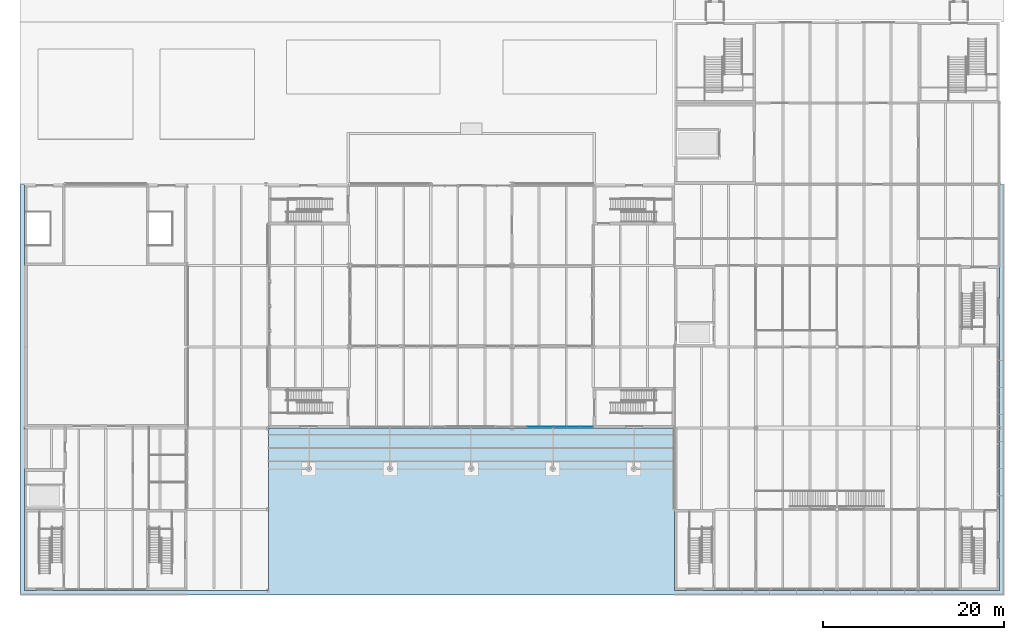
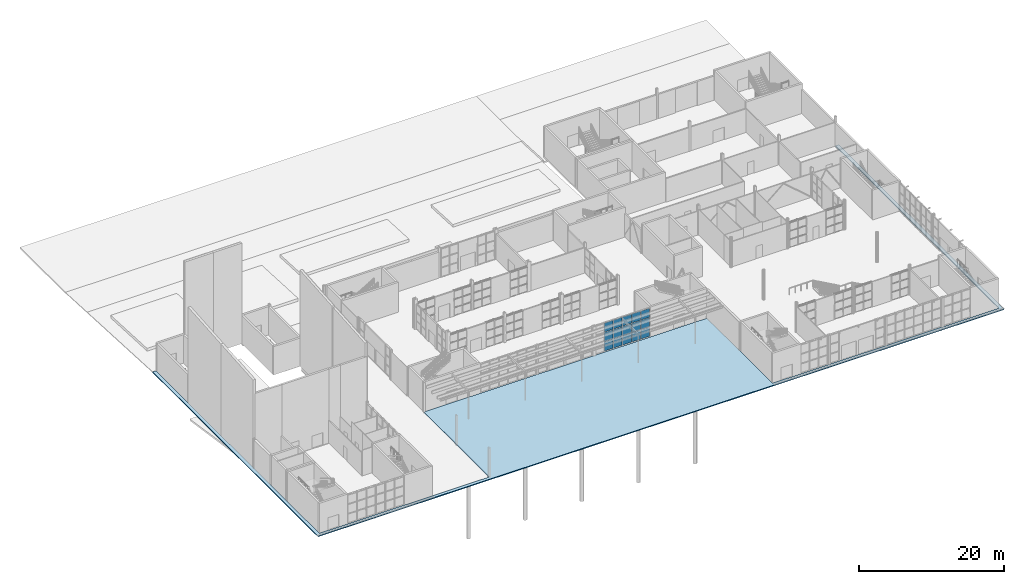
# One storey, part 30 of 63: 15 plates, 1 slab, 1 element without a shape of its own.
"""IFC4 building model written with IfcOpenShell, lengths in metres."""

from ifc_helpers import new_model, si_unit, direction, frame, origin, origin_2d, place, context, subcontext, project, spatial, polyline, rectangle, outline, extrude, material, layer, layer_set, type_object, element, aggregate, save


model = new_model("IFC4")

# Units and contexts
model_context = context("Model", 3, precision=1e-05, world=origin(), true_north=direction((0.0, 1.0)))
body_context = subcontext(model_context, "Body", "Model", "MODEL_VIEW")
ifc_project = project(units=[si_unit("LENGTHUNIT", "METRE"), si_unit("AREAUNIT", "SQUARE_METRE"), si_unit("VOLUMEUNIT", "CUBIC_METRE"), si_unit("PLANEANGLEUNIT", "RADIAN"), si_unit("MASSUNIT", "GRAM", prefix="KILO")], contexts=[model_context])

# Site, building, storey
site_placement = place(None, origin())
site = spatial("IfcSite", under=ifc_project, at=site_placement, CompositionType="ELEMENT")
building_placement = place(site_placement, origin())
building = spatial("IfcBuilding", under=site, at=building_placement, Name="Halyard Row Museum", CompositionType="ELEMENT")
storey_placement = place(building_placement, origin())
storey = spatial("IfcBuildingStorey", under=building, at=storey_placement, Name="L00", CompositionType="ELEMENT", Elevation=0.0)

# Curtain wall, plates
ifc_material_1 = material(Name="Double glazed unit, low-emissivity", Category="glass")
ifc_layer_1 = layer(ifc_material_1, 0.199951171875)
ifc_layer_set_1 = layer_set([ifc_layer_1], Name="Double glazed unit, low-emissivity")
curtain_wall_type = type_object("IfcCurtainWallType", Name="Curtain wall shopfront 200 deep", PredefinedType="NOTDEFINED", material=ifc_layer_set_1)
curtain_wall_placement = place(storey_placement, origin())
curtain_wall = element("IfcCurtainWall", 1, at=curtain_wall_placement, inside=storey, type_object=curtain_wall_type, Name="Curtain wall CW016", PredefinedType="NOTDEFINED")
ifc_material_2 = material(Name="Double glazed unit, low-emissivity", Category="glass")
ifc_layer_2 = layer(ifc_material_2, 0.031982421875)
ifc_layer_set_2 = layer_set([ifc_layer_2], Name="Double glazed unit, low-emissivity")
plate_type = type_object("IfcPlateType", Name="Curtain wall glazed panel CP1 32", PredefinedType="CURTAIN_PANEL", material=ifc_layer_set_2)
plate_1_placement = place(storey_placement, frame((56.4375, 18.14990234375, 0.06494140625), z_axis=(0.0, 0.0, 1.0), x_axis=(1.0, 0.0, 0.0)))
plate_1 = element("IfcPlate", 2, at=plate_1_placement, type_object=plate_type, Name="CW016 panel 2.1", PredefinedType="CURTAIN_PANEL", context=body_context, shape_type="SweptSolid", body=[
    extrude(rectangle(XDim=1.393310546875, YDim=0.031982421875, at=origin_2d()), origin(), (0.0, 0.0, 1.0), 1.51416015625),
])
plate_2_placement = place(storey_placement, frame((56.4375, 18.14990234375, 1.64404296875), z_axis=(0.0, 0.0, 1.0), x_axis=(1.0, 0.0, 0.0)))
plate_2 = element("IfcPlate", 3, at=plate_2_placement, type_object=plate_type, Name="CW016 panel 2.2", PredefinedType="CURTAIN_PANEL", context=body_context, shape_type="SweptSolid", body=[
    extrude(rectangle(XDim=1.393310546875, YDim=0.031982421875, at=origin_2d()), origin(), (0.0, 0.0, 1.0), 1.546630859375),
])
plate_3_placement = place(storey_placement, frame((56.4375, 18.14990234375, 3.255859375), z_axis=(0.0, 0.0, 1.0), x_axis=(1.0, 0.0, 0.0)))
plate_3 = element("IfcPlate", 4, at=plate_3_placement, type_object=plate_type, Name="CW016 panel 2.3", PredefinedType="CURTAIN_PANEL", context=body_context, shape_type="SweptSolid", body=[
    extrude(rectangle(XDim=1.393310546875, YDim=0.031982421875, at=origin_2d()), origin(), (0.0, 0.0, 1.0), 1.51416015625),
])
plate_4_placement = place(storey_placement, frame((57.895751953125, 18.14990234375, 0.06494140625), z_axis=(0.0, 0.0, 1.0), x_axis=(1.0, 0.0, 0.0)))
plate_4 = element("IfcPlate", 5, at=plate_4_placement, type_object=plate_type, Name="CW016 panel 3.1", PredefinedType="CURTAIN_PANEL", context=body_context, shape_type="SweptSolid", body=[
    extrude(rectangle(XDim=1.393310546875, YDim=0.031982421875, at=origin_2d()), origin(), (0.0, 0.0, 1.0), 1.51416015625),
])
plate_5_placement = place(storey_placement, frame((57.895751953125, 18.14990234375, 1.64404296875), z_axis=(0.0, 0.0, 1.0), x_axis=(1.0, 0.0, 0.0)))
plate_5 = element("IfcPlate", 6, at=plate_5_placement, type_object=plate_type, Name="CW016 panel 3.2", PredefinedType="CURTAIN_PANEL", context=body_context, shape_type="SweptSolid", body=[
    extrude(rectangle(XDim=1.393310546875, YDim=0.031982421875, at=origin_2d()), origin(), (0.0, 0.0, 1.0), 1.546630859375),
])
plate_6_placement = place(storey_placement, frame((57.895751953125, 18.14990234375, 3.255859375), z_axis=(0.0, 0.0, 1.0), x_axis=(1.0, 0.0, 0.0)))
plate_6 = element("IfcPlate", 7, at=plate_6_placement, type_object=plate_type, Name="CW016 panel 3.3", PredefinedType="CURTAIN_PANEL", context=body_context, shape_type="SweptSolid", body=[
    extrude(rectangle(XDim=1.393310546875, YDim=0.031982421875, at=origin_2d()), origin(), (0.0, 0.0, 1.0), 1.51416015625),
])
plate_7_placement = place(storey_placement, frame((59.354248046875, 18.14990234375, 0.06494140625), z_axis=(0.0, 0.0, 1.0), x_axis=(1.0, 0.0, 0.0)))
plate_7 = element("IfcPlate", 8, at=plate_7_placement, type_object=plate_type, Name="CW016 panel 4.1", PredefinedType="CURTAIN_PANEL", context=body_context, shape_type="SweptSolid", body=[
    extrude(rectangle(XDim=1.393310546875, YDim=0.031982421875, at=origin_2d()), origin(), (0.0, 0.0, 1.0), 1.51416015625),
])
plate_8_placement = place(storey_placement, frame((59.354248046875, 18.14990234375, 1.64404296875), z_axis=(0.0, 0.0, 1.0), x_axis=(1.0, 0.0, 0.0)))
plate_8 = element("IfcPlate", 9, at=plate_8_placement, type_object=plate_type, Name="CW016 panel 4.2", PredefinedType="CURTAIN_PANEL", context=body_context, shape_type="SweptSolid", body=[
    extrude(rectangle(XDim=1.393310546875, YDim=0.031982421875, at=origin_2d()), origin(), (0.0, 0.0, 1.0), 1.546630859375),
])
plate_9_placement = place(storey_placement, frame((59.354248046875, 18.14990234375, 3.255859375), z_axis=(0.0, 0.0, 1.0), x_axis=(1.0, 0.0, 0.0)))
plate_9 = element("IfcPlate", 10, at=plate_9_placement, type_object=plate_type, Name="CW016 panel 4.3", PredefinedType="CURTAIN_PANEL", context=body_context, shape_type="SweptSolid", body=[
    extrude(rectangle(XDim=1.393310546875, YDim=0.031982421875, at=origin_2d()), origin(), (0.0, 0.0, 1.0), 1.51416015625),
])
plate_10_placement = place(storey_placement, frame((60.8125, 18.14990234375, 0.06494140625), z_axis=(0.0, 0.0, 1.0), x_axis=(1.0, 0.0, 0.0)))
plate_10 = element("IfcPlate", 11, at=plate_10_placement, type_object=plate_type, Name="CW016 panel 5.1", PredefinedType="CURTAIN_PANEL", context=body_context, shape_type="SweptSolid", body=[
    extrude(rectangle(XDim=1.393310546875, YDim=0.031982421875, at=origin_2d()), origin(), (0.0, 0.0, 1.0), 1.51416015625),
])
plate_11_placement = place(storey_placement, frame((60.8125, 18.14990234375, 1.64404296875), z_axis=(0.0, 0.0, 1.0), x_axis=(1.0, 0.0, 0.0)))
plate_11 = element("IfcPlate", 12, at=plate_11_placement, type_object=plate_type, Name="CW016 panel 5.2", PredefinedType="CURTAIN_PANEL", context=body_context, shape_type="SweptSolid", body=[
    extrude(rectangle(XDim=1.393310546875, YDim=0.031982421875, at=origin_2d()), origin(), (0.0, 0.0, 1.0), 1.546630859375),
])
plate_12_placement = place(storey_placement, frame((60.8125, 18.14990234375, 3.255859375), z_axis=(0.0, 0.0, 1.0), x_axis=(1.0, 0.0, 0.0)))
plate_12 = element("IfcPlate", 13, at=plate_12_placement, type_object=plate_type, Name="CW016 panel 5.3", PredefinedType="CURTAIN_PANEL", context=body_context, shape_type="SweptSolid", body=[
    extrude(rectangle(XDim=1.393310546875, YDim=0.031982421875, at=origin_2d()), origin(), (0.0, 0.0, 1.0), 1.51416015625),
])
plate_13_placement = place(storey_placement, frame((62.254638671875, 18.14990234375, 0.06494140625), z_axis=(0.0, 0.0, 1.0), x_axis=(1.0, 0.0, 0.0)))
plate_13 = element("IfcPlate", 14, at=plate_13_placement, type_object=plate_type, Name="CW016 panel 6.1", PredefinedType="CURTAIN_PANEL", context=body_context, shape_type="SweptSolid", body=[
    extrude(rectangle(XDim=1.36083984375, YDim=0.031982421875, at=origin_2d()), origin(), (0.0, 0.0, 1.0), 1.51416015625),
])
plate_14_placement = place(storey_placement, frame((62.254638671875, 18.14990234375, 1.64404296875), z_axis=(0.0, 0.0, 1.0), x_axis=(1.0, 0.0, 0.0)))
plate_14 = element("IfcPlate", 15, at=plate_14_placement, type_object=plate_type, Name="CW016 panel 6.2", PredefinedType="CURTAIN_PANEL", context=body_context, shape_type="SweptSolid", body=[
    extrude(rectangle(XDim=1.36083984375, YDim=0.031982421875, at=origin_2d()), origin(), (0.0, 0.0, 1.0), 1.546630859375),
])
plate_15_placement = place(storey_placement, frame((62.254638671875, 18.14990234375, 3.255859375), z_axis=(0.0, 0.0, 1.0), x_axis=(1.0, 0.0, 0.0)))
plate_15 = element("IfcPlate", 16, at=plate_15_placement, type_object=plate_type, Name="CW016 panel 6.3", PredefinedType="CURTAIN_PANEL", context=body_context, shape_type="SweptSolid", body=[
    extrude(rectangle(XDim=1.36083984375, YDim=0.031982421875, at=origin_2d()), origin(), (0.0, 0.0, 1.0), 1.51416015625),
])
aggregate(curtain_wall, [plate_1, plate_2, plate_3, plate_4, plate_5, plate_6, plate_7, plate_8, plate_9, plate_10, plate_11, plate_12, plate_13, plate_14, plate_15])

# Slab
ifc_material_3 = material(Name="Concrete 25 MPa", Category="concrete")
ifc_layer_3 = layer(ifc_material_3, 0.14990234375)
ifc_layer_set_3 = layer_set([ifc_layer_3], Name="Concrete 25 MPa")
slab_type = type_object("IfcSlabType", Name="Site paving slab 150", PredefinedType="BASESLAB", material=ifc_layer_set_3)
slab_placement = place(storey_placement, frame((0.0, 0.0, -0.14990234375)))
element("IfcSlab", 17, at=slab_placement, inside=storey, type_object=slab_type, Name="Forecourt and street paving", PredefinedType="BASESLAB", context=body_context, shape_type="SweptSolid", body=[
    extrude(outline(polyline([(108.5, 45.0), (108.5, -0.5), (-0.5, -0.5), (-0.5, 45.0), (0.0, 45.0), (0.0, 0.0), (18.0, 0.0), (27.0, 0.0), (27.0, 18.0), (72.0, 18.0), (72.0, 0.0), (108.0, 0.0), (108.0, 18.0), (108.0, 36.0), (108.0, 45.0), (108.5, 45.0)])), origin(), (0.0, 0.0, 1.0), 0.14990234375),
])

save(model, "model.ifc")
